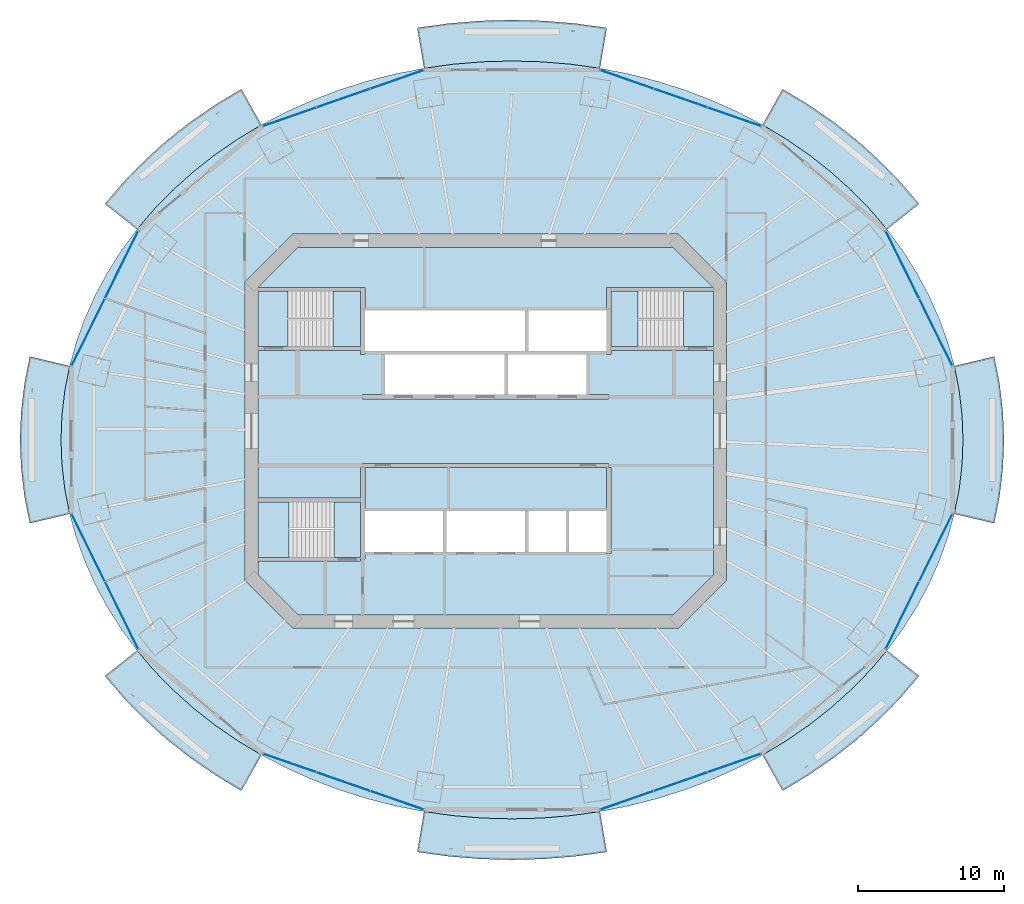
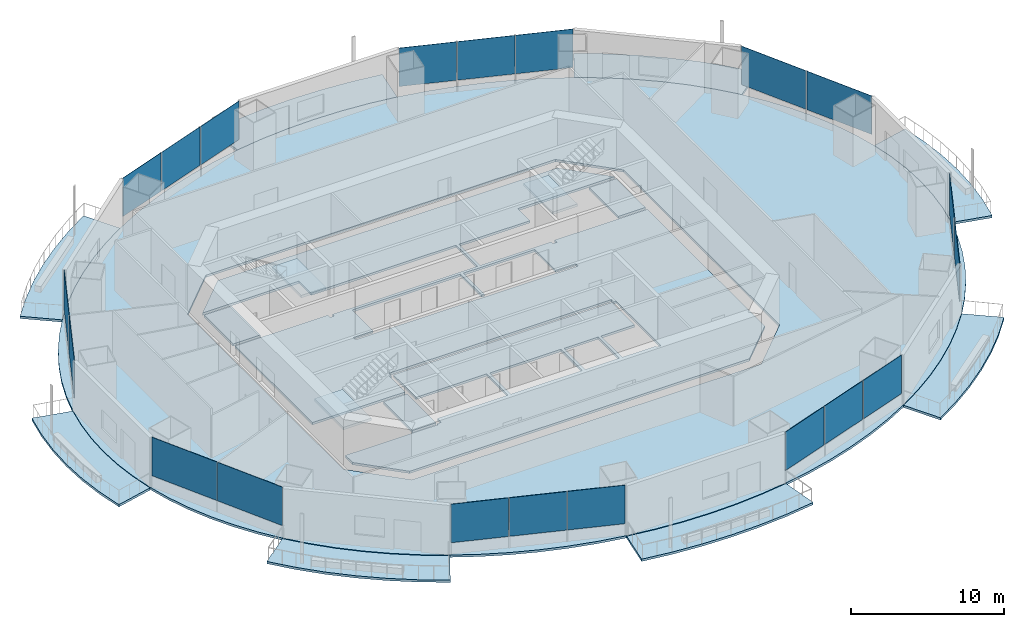
# One storey, part 9 of 19: 20 plates, 16 slabs, 11 elements without a shape of their own.
"""IFC4 building model written with IfcOpenShell, lengths in metres."""

import ifcopenshell
import ifcopenshell.guid

model = None  # the IFC model being written
_history = None  # IfcOwnerHistory: only IFC2X3 demands one
_inside = {}  # id of a spatial element -> (the spatial element, [elements in it])
_under = {}  # id of a project, library or spatial element -> (it, [spatial elements below it])
_declared = {}  # id of a project -> (the project, [libraries it declares])
_typed = {}  # id of a type object -> (the type object, [elements of that type])
_made_of = {}  # id of a material, layer set ... -> (it, [elements and type objects made of it])


def new_model(schema):
    """Start an empty IFC model of exactly this schema.

    Asked for "IFC4X3", IfcOpenShell would pick the latest addendum, in which some entities
    have other attributes; the version numbers below select the first issue.
    IFC2X3 requires an IfcOwnerHistory on every rooted entity: one is made here for all.
    """
    global model, _history
    if schema == "IFC4X3":
        model = ifcopenshell.file(schema_version=(4, 3, 0, 0))
    else:
        model = ifcopenshell.file(schema=schema)
    _inside.clear()
    _under.clear()
    _declared.clear()
    _typed.clear()
    _made_of.clear()
    _history = None
    if model.schema == "IFC2X3":
        org = make("IfcOrganization", Name="unknown")
        user = make(
            "IfcPersonAndOrganization",
            ThePerson=make("IfcPerson", FamilyName="unknown"),
            TheOrganization=org,
        )
        app = make(
            "IfcApplication",
            ApplicationDeveloper=org,
            Version="unknown",
            ApplicationFullName="unknown",
            ApplicationIdentifier="unknown",
        )
        _history = make(
            "IfcOwnerHistory",
            OwningUser=user,
            OwningApplication=app,
            ChangeAction="ADDED",
            CreationDate=0,
        )
    return model


def make(cls, **values):
    """One entity of the class cls with the attributes given. An attribute that is None is left unset."""
    return model.create_entity(
        cls, **{name: value for name, value in values.items() if value is not None}
    )


def rooted(cls, **values):
    """An entity with a GlobalId (a new one), such as an element, a storey or a relation."""
    return make(cls, GlobalId=ifcopenshell.guid.new(), OwnerHistory=_history, **values)


def si_unit(unit_type, name, prefix=None):
    """IfcSIUnit, for example si_unit("LENGTHUNIT", "METRE", prefix="MILLI")."""
    return make("IfcSIUnit", UnitType=unit_type, Prefix=prefix, Name=name)


def assignment(units):
    """IfcUnitAssignment: the units of a project."""
    return None if units is None else make("IfcUnitAssignment", Units=units)


def point(xyz):
    """IfcCartesianPoint."""
    return None if xyz is None else make("IfcCartesianPoint", Coordinates=xyz)


def direction(xyz):
    """IfcDirection."""
    return None if xyz is None else make("IfcDirection", DirectionRatios=xyz)


def frame(location, z_axis=None, x_axis=None):
    """IfcAxis2Placement3D, a coordinate frame: its origin and axes. An axis left out is left unset."""
    return make(
        "IfcAxis2Placement3D",
        Location=point(location),
        Axis=direction(z_axis),
        RefDirection=direction(x_axis),
    )


def frame_2d(location, x_axis=None):
    """IfcAxis2Placement2D, a coordinate frame in the plane: its origin and x axis."""
    return make(
        "IfcAxis2Placement2D", Location=point(location), RefDirection=direction(x_axis)
    )


def origin():
    """The frame at (0, 0, 0) with its axes left unset."""
    return frame((0.0, 0.0, 0.0))


def origin_2d():
    """The frame at (0, 0) in the plane with its x axis left unset."""
    return frame_2d((0.0, 0.0))


def place(relative_to, where):
    """IfcLocalPlacement: puts the frame where relative to a parent placement (None: the world)."""
    return make(
        "IfcLocalPlacement", PlacementRelTo=relative_to, RelativePlacement=where
    )


def context(
    kind, dimensions, precision=None, world=None, true_north=None, identifier=None
):
    """IfcGeometricRepresentationContext, for example the 3D "Model" context."""
    return make(
        "IfcGeometricRepresentationContext",
        ContextIdentifier=identifier,
        ContextType=kind,
        CoordinateSpaceDimension=dimensions,
        Precision=precision,
        WorldCoordinateSystem=world,
        TrueNorth=true_north,
    )


def subcontext(parent, identifier, kind, view, scale=None):
    """IfcGeometricRepresentationSubContext, for example "Body" below "Model"."""
    return make(
        "IfcGeometricRepresentationSubContext",
        ContextIdentifier=identifier,
        ContextType=kind,
        ParentContext=parent,
        TargetScale=scale,
        TargetView=view,
    )


def project(units=None, contexts=None):
    """IfcProject with its units and contexts."""
    return rooted(
        "IfcProject",
        Name="project",
        RepresentationContexts=contexts,
        UnitsInContext=assignment(units),
    )


def spatial(cls, under=None, at=None, **own):
    """A site, building, storey or space (cls), placed at a placement, below another one or the project."""
    s = rooted(cls, ObjectPlacement=at, **own)
    if under is not None:
        _under.setdefault(under.id(), (under, []))[1].append(s)
    return s


def polyline(points):
    """IfcPolyline through the points."""
    return make("IfcPolyline", Points=[point(p) for p in points])


def profile(cls, at=None, kind="AREA", **sizes):
    """A parametric profile (cls). Its sizes go by their IFC names, for example OverallWidth=200.0."""
    return make(cls, ProfileType=kind, Position=at, **sizes)


def rectangle(**sizes):
    """IfcRectangleProfileDef."""
    return profile("IfcRectangleProfileDef", **sizes)


def outline(outer, holes=None, kind="AREA"):
    """IfcArbitraryClosedProfileDef: a profile drawn as a closed curve; with holes, ...WithVoids."""
    if holes is None:
        return make("IfcArbitraryClosedProfileDef", ProfileType=kind, OuterCurve=outer)
    return make(
        "IfcArbitraryProfileDefWithVoids",
        ProfileType=kind,
        OuterCurve=outer,
        InnerCurves=holes,
    )


def extrude(swept, where, along, depth):
    """IfcExtrudedAreaSolid: the profile swept, set in the frame where, extruded along a direction by depth."""
    return make(
        "IfcExtrudedAreaSolid",
        SweptArea=swept,
        Position=where,
        ExtrudedDirection=direction(along),
        Depth=depth,
    )


def shape(context_of_items, identifier, shape_type, items):
    """IfcShapeRepresentation: the items that make up one representation, for example the "Body"."""
    return make(
        "IfcShapeRepresentation",
        ContextOfItems=context_of_items,
        RepresentationIdentifier=identifier,
        RepresentationType=shape_type,
        Items=items,
    )


def material(Name=None, Category=None):
    """IfcMaterial."""
    return make("IfcMaterial", Name=Name, Category=Category)


def layer(
    of_material, thickness, ventilated=None, Name=None, Category=None, Priority=None
):
    """IfcMaterialLayer: one layer of a wall or slab, of a material (None: an air gap)."""
    return make(
        "IfcMaterialLayer",
        Material=of_material,
        LayerThickness=thickness,
        IsVentilated=ventilated,
        Name=Name,
        Category=Category,
        Priority=Priority,
    )


def layer_set(layers, Name=None):
    """IfcMaterialLayerSet."""
    return make("IfcMaterialLayerSet", MaterialLayers=layers, LayerSetName=Name)


def made_of(thing, what):
    """Note that an element or type object is made of a material, layer set ...; save() writes the relation."""
    if what is not None:
        _made_of.setdefault(what.id(), (what, []))[1].append(thing)
    return thing


def type_object(cls, material=None, **own):
    """A type object (cls), such as IfcWallType, which elements share."""
    return made_of(rooted(cls, **own), material)


def element(
    cls,
    number,
    at=None,
    inside=None,
    cuts=None,
    type_object=None,
    material=None,
    context=None,
    identifier="Body",
    shape_type=None,
    held_by="IfcProductDefinitionShape",
    body=None,
    shapes=None,
    **own,
):
    """One element of the class cls, such as IfcWall. Its Tag is "e" and its number.

    at: its placement. inside: the storey or other place that contains it. cuts: it is an
    opening in that element (IfcRelVoidsElement). A single representation is given by context,
    identifier, shape_type and body (its items); several are given by shapes. held_by: the class
    of the entity that holds the representations. save() writes the other relations.
    """
    e = rooted(cls, Tag="e%d" % number, ObjectPlacement=at, **own)
    if body is not None:
        shapes = [shape(context, identifier, shape_type, body)]
    if shapes is not None:
        e.Representation = make(held_by, Representations=shapes)
    if inside is not None:
        _inside.setdefault(inside.id(), (inside, []))[1].append(e)
    if cuts is not None:
        rooted(
            "IfcRelVoidsElement", RelatingBuildingElement=cuts, RelatedOpeningElement=e
        )
    if type_object is not None:
        _typed.setdefault(type_object.id(), (type_object, []))[1].append(e)
    return made_of(e, material)


def aggregate(whole, parts):
    """IfcRelAggregates: a whole, such as a stair, and the parts it consists of."""
    return rooted("IfcRelAggregates", RelatingObject=whole, RelatedObjects=parts)


def save(model, path):
    """Write the relations noted so far, then the file.

    IfcRelAggregates (storeys below a building ...), IfcRelContainedInSpatialStructure (elements
    in a storey), IfcRelDefinesByType, IfcRelAssociatesMaterial and IfcRelDeclares: one each for
    every whole, place, type object, material and project.
    """
    for whole, parts in _under.values():
        aggregate(whole, parts)
    for where, things in _inside.values():
        rooted(
            "IfcRelContainedInSpatialStructure",
            RelatedElements=things,
            RelatingStructure=where,
        )
    for kind, things in _typed.values():
        rooted("IfcRelDefinesByType", RelatedObjects=things, RelatingType=kind)
    for what, things in _made_of.values():
        rooted("IfcRelAssociatesMaterial", RelatedObjects=things, RelatingMaterial=what)
    for by, libraries in _declared.values():
        rooted("IfcRelDeclares", RelatingContext=by, RelatedDefinitions=libraries)
    model.write(path)


model = new_model("IFC4")

# Units and contexts
model_context = context("Model", 3, precision=1e-05, world=origin(), true_north=direction((0.0, 1.0)))
body_context = subcontext(model_context, "Body", "Model", "MODEL_VIEW")
ifc_project = project(units=[si_unit("LENGTHUNIT", "METRE"), si_unit("AREAUNIT", "SQUARE_METRE"), si_unit("VOLUMEUNIT", "CUBIC_METRE"), si_unit("PLANEANGLEUNIT", "RADIAN"), si_unit("MASSUNIT", "GRAM", prefix="KILO")], contexts=[model_context])

# Site, building, storey
site_placement = place(None, origin())
site = spatial("IfcSite", under=ifc_project, at=site_placement, CompositionType="ELEMENT")
building_placement = place(site_placement, origin())
building = spatial("IfcBuilding", under=site, at=building_placement, Name="Marenthal Gate Tower", CompositionType="ELEMENT")
storey_placement = place(building_placement, frame((0.0, 0.0, 231.60009765625)))
storey = spatial("IfcBuildingStorey", under=building, at=storey_placement, Name="L51", CompositionType="ELEMENT", Elevation=231.60009765625)

# Slabs
ifc_material_1 = material(Name="Concrete 40 MPa", Category="concrete")
ifc_layer_1 = layer(ifc_material_1, 0.179931640625)
ifc_layer_set_1 = layer_set([ifc_layer_1], Name="Balcony deck 180")
slab_type_1 = type_object("IfcSlabType", Name="Balcony deck 180", PredefinedType="USERDEFINED", material=ifc_layer_set_1)
slab_1_placement = place(storey_placement, frame((0.0, 0.0, -0.22021484375)))
element("IfcSlab", 1, at=slab_1_placement, inside=storey, type_object=slab_type_1, Name="Balcony deck L51 bay 2", ObjectType="BALCONY", PredefinedType="USERDEFINED", context=body_context, shape_type="SweptSolid", body=[
    extrude(outline(polyline([(27.416015625, 13.781005859375), (26.24169921875, 15.15771484375), (24.962646484375, 16.46728515625), (23.58447265625, 17.70361328125), (22.113037109375, 18.861328125), (20.5546875, 19.93603515625), (18.916015625, 20.922607421875), (20.28662109375, 23.3642578125), (22.072021484375, 22.289306640625), (23.774169921875, 21.115478515625), (25.3857421875, 19.84716796875), (26.899658203125, 18.489013671875), (28.30908203125, 17.0458984375), (29.607421875, 15.523681640625), (27.416015625, 13.781005859375)])), origin(), (0.0, 0.0, 1.0), 0.18017578125),
])
slab_2_placement = place(storey_placement, frame((0.0, 0.0, -0.22021484375)))
element("IfcSlab", 2, at=slab_2_placement, inside=storey, type_object=slab_type_1, Name="Balcony deck L51 bay 4", ObjectType="BALCONY", PredefinedType="USERDEFINED", context=body_context, shape_type="SweptSolid", body=[
    extrude(outline(polyline([(7.810302734375, 24.78759765625), (5.8212890625, 25.063720703125), (3.81494140625, 25.2294921875), (1.800048828125, 25.284912109375), (-0.21484375, 25.2294921875), (-2.22119140625, 25.063720703125), (-4.210205078125, 24.78759765625), (-4.671875, 27.54931640625), (-2.529052734375, 27.8466796875), (-0.368896484375, 28.025390625), (1.800048828125, 28.0849609375), (3.96875, 28.025390625), (6.129150390625, 27.8466796875), (8.27197265625, 27.54931640625), (7.810302734375, 24.78759765625)])), origin(), (0.0, 0.0, 1.0), 0.18017578125),
])
slab_3_placement = place(storey_placement, frame((0.0, 0.0, -0.22021484375)))
element("IfcSlab", 3, at=slab_3_placement, inside=storey, type_object=slab_type_1, Name="Balcony deck L51 bay 6", ObjectType="BALCONY", PredefinedType="USERDEFINED", context=body_context, shape_type="SweptSolid", body=[
    extrude(outline(polyline([(-15.31591796875, 20.922607421875), (-16.95458984375, 19.93603515625), (-18.51318359375, 18.861328125), (-19.984619140625, 17.70361328125), (-21.36279296875, 16.46728515625), (-22.6416015625, 15.15771484375), (-23.81591796875, 13.781005859375), (-26.00732421875, 15.523681640625), (-24.709228515625, 17.0458984375), (-23.2998046875, 18.489013671875), (-21.78564453125, 19.84716796875), (-20.174072265625, 21.115478515625), (-18.471923828125, 22.289306640625), (-16.686767578125, 23.3642578125), (-15.31591796875, 20.922607421875)])), origin(), (0.0, 0.0, 1.0), 0.18017578125),
])
slab_4_placement = place(storey_placement, frame((0.0, 0.0, -0.22021484375)))
element("IfcSlab", 4, at=slab_4_placement, inside=storey, type_object=slab_type_1, Name="Balcony deck L51 bay 8", ObjectType="BALCONY", PredefinedType="USERDEFINED", context=body_context, shape_type="SweptSolid", body=[
    extrude(outline(polyline([(-28.416015625, 4.449951171875), (-28.744384765625, 2.77880859375), (-28.94189453125, 1.093017578125), (-29.008056640625, -0.60009765625), (-28.94189453125, -2.29296875), (-28.744384765625, -3.978759765625), (-28.416015625, -5.64990234375), (-31.140625, -6.294921875), (-31.5107421875, -4.412109375), (-31.7333984375, -2.5107421875), (-31.80810546875, -0.60009765625), (-31.7333984375, 1.310791015625), (-31.5107421875, 3.212158203125), (-31.140625, 5.094970703125), (-28.416015625, 4.449951171875)])), origin(), (0.0, 0.0, 1.0), 0.18017578125),
])
slab_5_placement = place(storey_placement, frame((0.0, 0.0, -0.22021484375)))
element("IfcSlab", 5, at=slab_5_placement, inside=storey, type_object=slab_type_1, Name="Balcony deck L51 bay 10", ObjectType="BALCONY", PredefinedType="USERDEFINED", context=body_context, shape_type="SweptSolid", body=[
    extrude(outline(polyline([(-23.81591796875, -14.98095703125), (-22.6416015625, -16.35791015625), (-21.36279296875, -17.667236328125), (-19.984619140625, -18.903564453125), (-18.51318359375, -20.061279296875), (-16.95458984375, -21.135986328125), (-15.31591796875, -22.12255859375), (-16.686767578125, -24.564208984375), (-18.471923828125, -23.4892578125), (-20.174072265625, -22.315673828125), (-21.78564453125, -21.04736328125), (-23.2998046875, -19.68896484375), (-24.709228515625, -18.24609375), (-26.00732421875, -16.7236328125), (-23.81591796875, -14.98095703125)])), origin(), (0.0, 0.0, 1.0), 0.18017578125),
])
slab_6_placement = place(storey_placement, frame((0.0, 0.0, -0.22021484375)))
element("IfcSlab", 6, at=slab_6_placement, inside=storey, type_object=slab_type_1, Name="Balcony deck L51 bay 12", ObjectType="BALCONY", PredefinedType="USERDEFINED", context=body_context, shape_type="SweptSolid", body=[
    extrude(outline(polyline([(-4.210205078125, -25.987548828125), (-2.22119140625, -26.263671875), (-0.21484375, -26.4296875), (1.800048828125, -26.485107421875), (3.81494140625, -26.4296875), (5.8212890625, -26.263671875), (7.810302734375, -25.987548828125), (8.27197265625, -28.749267578125), (6.129150390625, -29.046630859375), (3.96875, -29.225341796875), (1.800048828125, -29.284912109375), (-0.368896484375, -29.225341796875), (-2.529052734375, -29.046630859375), (-4.671875, -28.749267578125), (-4.210205078125, -25.987548828125)])), origin(), (0.0, 0.0, 1.0), 0.18017578125),
])
slab_7_placement = place(storey_placement, frame((0.0, 0.0, -0.22021484375)))
element("IfcSlab", 7, at=slab_7_placement, inside=storey, type_object=slab_type_1, Name="Balcony deck L51 bay 14", ObjectType="BALCONY", PredefinedType="USERDEFINED", context=body_context, shape_type="SweptSolid", body=[
    extrude(outline(polyline([(18.916015625, -22.12255859375), (20.5546875, -21.135986328125), (22.113037109375, -20.061279296875), (23.58447265625, -18.903564453125), (24.962646484375, -17.667236328125), (26.24169921875, -16.35791015625), (27.416015625, -14.98095703125), (29.607421875, -16.7236328125), (28.30908203125, -18.24609375), (26.899658203125, -19.68896484375), (25.3857421875, -21.04736328125), (23.774169921875, -22.315673828125), (22.072021484375, -23.4892578125), (20.28662109375, -24.564208984375), (18.916015625, -22.12255859375)])), origin(), (0.0, 0.0, 1.0), 0.18017578125),
])
slab_8_placement = place(storey_placement, frame((0.0, 0.0, -0.22021484375)))
element("IfcSlab", 8, at=slab_8_placement, inside=storey, type_object=slab_type_1, Name="Balcony deck L51 bay 16", ObjectType="BALCONY", PredefinedType="USERDEFINED", context=body_context, shape_type="SweptSolid", body=[
    extrude(outline(polyline([(32.01611328125, -5.64990234375), (32.344482421875, -3.978759765625), (32.5419921875, -2.29296875), (32.60791015625, -0.60009765625), (32.5419921875, 1.093017578125), (32.344482421875, 2.77880859375), (32.01611328125, 4.449951171875), (34.74072265625, 5.094970703125), (35.110595703125, 3.212158203125), (35.33349609375, 1.310791015625), (35.407958984375, -0.60009765625), (35.33349609375, -2.5107421875), (35.110595703125, -4.412109375), (34.74072265625, -6.294921875), (32.01611328125, -5.64990234375)])), origin(), (0.0, 0.0, 1.0), 0.18017578125),
])
ifc_material_2 = material(Name="Concrete 50 MPa", Category="concrete")
ifc_layer_2 = layer(ifc_material_2, 0.179931640625)
ifc_layer_set_2 = layer_set([ifc_layer_2], Name="Core floor slab 180")
slab_type_2 = type_object("IfcSlabType", Name="Core floor slab 180", PredefinedType="FLOOR", material=ifc_layer_set_2)
slab_9_placement = place(storey_placement, frame((0.0, 0.0, -0.18017578125)))
element("IfcSlab", 9, at=slab_9_placement, inside=storey, type_object=slab_type_2, Name="Core floor L51", PredefinedType="FLOOR", context=body_context, shape_type="SweptSolid", body=[
    extrude(outline(polyline([(12.813720703125, -12.550048828125), (-12.813720703125, -12.550048828125), (-15.550048828125, -9.813720703125), (-15.550048828125, -8.875), (-8.550048828125, -8.875), (-8.550048828125, -8.75), (-8.25, -8.75), (-8.25, -8.239990234375), (-5.60009765625, -8.239990234375), (-2.909912109375, -8.239990234375), (-2.909912109375, -5.4599609375), (-5.60009765625, -5.4599609375), (-8.25, -5.4599609375), (-8.25, -2.5), (8.25, -2.5), (8.25, -5.4599609375), (5.7099609375, -5.4599609375), (5.7099609375, -8.239990234375), (8.25, -8.239990234375), (8.25, -8.35009765625), (8.550048828125, -8.35009765625), (8.550048828125, -2.5), (8.39990234375, -2.5), (8.39990234375, -2.199951171875), (-8.39990234375, -2.199951171875), (-8.39990234375, -2.5), (-8.550048828125, -2.5), (-8.550048828125, -4.574951171875), (-15.550048828125, -4.574951171875), (-15.550048828125, 5.52490234375), (-8.550048828125, 5.52490234375), (-8.550048828125, 5.239990234375), (-8.25, 5.239990234375), (-8.25, 5.4599609375), (-5.60009765625, 5.4599609375), (-2.800048828125, 5.4599609375), (0.0, 5.4599609375), (2.68994140625, 5.4599609375), (2.68994140625, 8.239990234375), (0.0, 8.239990234375), (-2.800048828125, 8.239990234375), (-5.60009765625, 8.239990234375), (-8.25, 8.239990234375), (-8.25, 8.35009765625), (-8.25, 9.824951171875), (-8.550048828125, 9.824951171875), (-15.53857421875, 9.824951171875), (-12.813720703125, 12.550048828125), (12.813720703125, 12.550048828125), (15.53857421875, 9.824951171875), (8.550048828125, 9.824951171875), (8.25, 9.824951171875), (8.25, 8.35009765625), (8.25, 8.239990234375), (5.60009765625, 8.239990234375), (2.909912109375, 8.239990234375), (2.909912109375, 5.4599609375), (5.60009765625, 5.4599609375), (8.25, 5.4599609375), (8.25, 5.239990234375), (8.550048828125, 5.239990234375), (8.550048828125, 5.52490234375), (15.550048828125, 5.52490234375), (15.550048828125, -9.813720703125), (12.813720703125, -12.550048828125)]), holes=[polyline([(2.68994140625, -8.239990234375), (2.68994140625, -5.4599609375), (0.0, -5.4599609375), (-2.68994140625, -5.4599609375), (-2.68994140625, -8.239990234375), (0.0, -8.239990234375), (2.68994140625, -8.239990234375)]), polyline([(-6.889892578125, 5.239990234375), (-6.889892578125, 2.5), (-8.39990234375, 2.5), (-8.39990234375, 2.199951171875), (8.39990234375, 2.199951171875), (8.39990234375, 2.5), (6.889892578125, 2.5), (6.889892578125, 5.239990234375), (4.199951171875, 5.239990234375), (1.510009765625, 5.239990234375), (1.510009765625, 2.5), (1.2900390625, 2.5), (1.2900390625, 5.239990234375), (-1.39990234375, 5.239990234375), (-4.199951171875, 5.239990234375), (-6.889892578125, 5.239990234375)]), polyline([(5.489990234375, -8.239990234375), (5.489990234375, -5.4599609375), (2.909912109375, -5.4599609375), (2.909912109375, -8.239990234375), (5.489990234375, -8.239990234375)])]), origin(), (0.0, 0.0, 1.0), 0.18017578125),
])
slab_10_placement = place(storey_placement, frame((0.0, 0.0, -0.18017578125)))
element("IfcSlab", 10, at=slab_10_placement, inside=storey, type_object=slab_type_2, Name="Core floor L51", PredefinedType="FLOOR", context=body_context, shape_type="SweptSolid", body=[
    extrude(outline(polyline([(15.550048828125, 5.77490234375), (13.5, 5.77490234375), (13.5, 9.574951171875), (15.550048828125, 9.574951171875), (15.550048828125, 5.77490234375)])), origin(), (0.0, 0.0, 1.0), 0.18017578125),
])
slab_11_placement = place(storey_placement, frame((0.0, 0.0, -0.18017578125)))
element("IfcSlab", 11, at=slab_11_placement, inside=storey, type_object=slab_type_2, Name="Core floor L51", PredefinedType="FLOOR", context=body_context, shape_type="SweptSolid", body=[
    extrude(outline(polyline([(-15.550048828125, 9.574951171875), (-13.5, 9.574951171875), (-13.5, 5.77490234375), (-15.550048828125, 5.77490234375), (-15.550048828125, 9.574951171875)])), origin(), (0.0, 0.0, 1.0), 0.18017578125),
])
slab_12_placement = place(storey_placement, frame((0.0, 0.0, -0.18017578125)))
element("IfcSlab", 12, at=slab_12_placement, inside=storey, type_object=slab_type_2, Name="Core floor L51", PredefinedType="FLOOR", context=body_context, shape_type="SweptSolid", body=[
    extrude(outline(polyline([(-8.550048828125, -8.625), (-10.35009765625, -8.625), (-10.35009765625, -4.824951171875), (-8.550048828125, -4.824951171875), (-8.550048828125, -8.625)])), origin(), (0.0, 0.0, 1.0), 0.18017578125),
])
ifc_material_3 = material(Name="Concrete 35 MPa", Category="concrete")
ifc_layer_3 = layer(ifc_material_3, 0.179931640625)
ifc_layer_set_3 = layer_set([ifc_layer_3], Name="Floor slab 180")
slab_type_3 = type_object("IfcSlabType", Name="Floor slab 180", PredefinedType="FLOOR", material=ifc_layer_set_3)
slab_13_placement = place(storey_placement, frame((0.0, 0.0, -0.18017578125)))
element("IfcSlab", 13, at=slab_13_placement, inside=storey, type_object=slab_type_3, Name="SL-L51-01", PredefinedType="FLOOR", context=body_context, shape_type="SweptSolid", body=[
    extrude(outline(polyline([(32.60791015625, -0.60009765625), (32.5419921875, 1.093017578125), (32.344482421875, 2.77880859375), (32.01611328125, 4.449951171875), (31.55810546875, 6.099609375), (30.972900390625, 7.720458984375), (30.262939453125, 9.305908203125), (29.430908203125, 10.8486328125), (28.48046875, 12.342529296875), (27.416015625, 13.781005859375), (26.24169921875, 15.15771484375), (24.962646484375, 16.46728515625), (23.58447265625, 17.70361328125), (22.113037109375, 18.861328125), (20.5546875, 19.93603515625), (18.916015625, 20.922607421875), (17.2041015625, 21.817138671875), (15.426025390625, 22.615478515625), (13.589599609375, 23.314697265625), (11.702880859375, 23.911376953125), (9.773681640625, 24.403076171875), (7.810302734375, 24.78759765625), (5.8212890625, 25.063720703125), (3.81494140625, 25.2294921875), (1.800048828125, 25.284912109375), (-0.21484375, 25.2294921875), (-2.22119140625, 25.063720703125), (-4.210205078125, 24.78759765625), (-6.173583984375, 24.403076171875), (-8.102783203125, 23.911376953125), (-9.98974609375, 23.314697265625), (-11.825927734375, 22.615478515625), (-13.60400390625, 21.817138671875), (-15.31591796875, 20.922607421875), (-16.95458984375, 19.93603515625), (-18.51318359375, 18.861328125), (-19.984619140625, 17.70361328125), (-21.36279296875, 16.46728515625), (-22.6416015625, 15.15771484375), (-23.81591796875, 13.781005859375), (-24.880615234375, 12.342529296875), (-25.830810546875, 10.8486328125), (-26.662841796875, 9.305908203125), (-27.373046875, 7.720458984375), (-27.958251953125, 6.099609375), (-28.416015625, 4.449951171875), (-28.744384765625, 2.77880859375), (-28.94189453125, 1.093017578125), (-29.008056640625, -0.60009765625), (-28.94189453125, -2.29296875), (-28.744384765625, -3.978759765625), (-28.416015625, -5.64990234375), (-27.958251953125, -7.299560546875), (-27.373046875, -8.92041015625), (-26.662841796875, -10.505859375), (-25.830810546875, -12.048583984375), (-24.880615234375, -13.54248046875), (-23.81591796875, -14.98095703125), (-22.6416015625, -16.35791015625), (-21.36279296875, -17.667236328125), (-19.984619140625, -18.903564453125), (-18.51318359375, -20.061279296875), (-16.95458984375, -21.135986328125), (-15.31591796875, -22.12255859375), (-13.60400390625, -23.01708984375), (-11.825927734375, -23.815673828125), (-9.98974609375, -24.5146484375), (-8.102783203125, -25.111328125), (-6.173583984375, -25.60302734375), (-4.210205078125, -25.987548828125), (-2.22119140625, -26.263671875), (-0.21484375, -26.4296875), (1.800048828125, -26.485107421875), (3.81494140625, -26.4296875), (5.8212890625, -26.263671875), (7.810302734375, -25.987548828125), (9.773681640625, -25.60302734375), (11.702880859375, -25.111328125), (13.589599609375, -24.5146484375), (15.426025390625, -23.815673828125), (17.2041015625, -23.01708984375), (18.916015625, -22.12255859375), (20.5546875, -21.135986328125), (22.113037109375, -20.061279296875), (23.58447265625, -18.903564453125), (24.962646484375, -17.667236328125), (26.24169921875, -16.35791015625), (27.416015625, -14.98095703125), (28.48046875, -13.54248046875), (29.430908203125, -12.048583984375), (30.262939453125, -10.505859375), (30.972900390625, -8.92041015625), (31.55810546875, -7.299560546875), (32.01611328125, -5.64990234375), (32.344482421875, -3.978759765625), (32.5419921875, -2.29296875), (32.60791015625, -0.60009765625)]), holes=[polyline([(13.186279296875, -13.449951171875), (16.449951171875, -10.186279296875), (16.449951171875, 10.186279296875), (13.186279296875, 13.449951171875), (-13.186279296875, 13.449951171875), (-16.449951171875, 10.186279296875), (-16.449951171875, -10.186279296875), (-13.186279296875, -13.449951171875), (13.186279296875, -13.449951171875)])]), origin(), (0.0, 0.0, 1.0), 0.18017578125),
])

# Curtain wall, plates
ifc_material_4 = material(Name="Aluminium and glass", Category="aluminium")
curtain_wall_type = type_object("IfcCurtainWallType", Name="Curtain wall typical mid", PredefinedType="NOTDEFINED", material=ifc_material_4)
curtain_wall_1_placement = place(storey_placement, origin())
curtain_wall_1 = element("IfcCurtainWall", 14, at=curtain_wall_1_placement, inside=storey, type_object=curtain_wall_type, Name="Curtain wall L51 bay 1", PredefinedType="NOTDEFINED")
ifc_material_5 = material(Name="Glass, laminated insulating unit", Category="glass")
ifc_layer_4 = layer(ifc_material_5, 0.030029296875)
ifc_layer_set_4 = layer_set([ifc_layer_4], Name="Glass panel 30 typical mid")
plate_type = type_object("IfcPlateType", Name="Glass panel 30 typical mid", PredefinedType="CURTAIN_PANEL", material=ifc_layer_set_4)
plate_1_placement = place(storey_placement, frame((30.74609375, 6.761962890625, 0.89990234375), z_axis=(0.0, 0.0, 1.0), x_axis=(-0.442441217329, 0.896797507361, 0.0)))
plate_1 = element("IfcPlate", 15, at=plate_1_placement, type_object=plate_type, Name="Glass panel L51 bay 1.1", PredefinedType="CURTAIN_PANEL", context=body_context, shape_type="SweptSolid", body=[
    extrude(rectangle(XDim=5.08837890625, YDim=0.030029296875, at=origin_2d()), origin(), (0.0, 0.0, 1.0), 3.070068359375),
])
plate_2_placement = place(storey_placement, frame((28.46826171875, 11.37890625, 0.89990234375), z_axis=(0.0, 0.0, 1.0), x_axis=(-0.442441217329, 0.896797507361, 0.0)))
plate_2 = element("IfcPlate", 16, at=plate_2_placement, type_object=plate_type, Name="Glass panel L51 bay 1.2", PredefinedType="CURTAIN_PANEL", context=body_context, shape_type="SweptSolid", body=[
    extrude(rectangle(XDim=5.08837890625, YDim=0.030029296875, at=origin_2d()), origin(), (0.0, 0.0, 1.0), 3.070068359375),
])
aggregate(curtain_wall_1, [plate_1, plate_2])

curtain_wall_2_placement = place(storey_placement, origin())
curtain_wall_2 = element("IfcCurtainWall", 17, at=curtain_wall_2_placement, inside=storey, type_object=curtain_wall_type, Name="Curtain wall L51 bay 3", PredefinedType="NOTDEFINED")
plate_3_placement = place(storey_placement, frame((16.986572265625, 21.470458984375, 0.89990234375), z_axis=(0.0, 0.0, 1.0), x_axis=(-0.94451510961, 0.328467970612, 0.0)))
plate_3 = element("IfcPlate", 18, at=plate_3_placement, type_object=plate_type, Name="Glass panel L51 bay 3.1", PredefinedType="CURTAIN_PANEL", context=body_context, shape_type="SweptSolid", body=[
    extrude(rectangle(XDim=3.82421875, YDim=0.030029296875, at=origin_2d()), origin(), (0.0, 0.0, 1.0), 3.070068359375),
])
plate_4_placement = place(storey_placement, frame((13.318115234375, 22.746337890625, 0.89990234375), z_axis=(0.0, 0.0, 1.0), x_axis=(-0.94451510961, 0.328467970612, 0.0)))
plate_4 = element("IfcPlate", 19, at=plate_4_placement, type_object=plate_type, Name="Glass panel L51 bay 3.2", PredefinedType="CURTAIN_PANEL", context=body_context, shape_type="SweptSolid", body=[
    extrude(rectangle(XDim=3.82421875, YDim=0.030029296875, at=origin_2d()), origin(), (0.0, 0.0, 1.0), 3.070068359375),
])
plate_5_placement = place(storey_placement, frame((9.6494140625, 24.022216796875, 0.89990234375), z_axis=(0.0, 0.0, 1.0), x_axis=(-0.94451510961, 0.328467970612, 0.0)))
plate_5 = element("IfcPlate", 20, at=plate_5_placement, type_object=plate_type, Name="Glass panel L51 bay 3.3", PredefinedType="CURTAIN_PANEL", context=body_context, shape_type="SweptSolid", body=[
    extrude(rectangle(XDim=3.82421875, YDim=0.030029296875, at=origin_2d()), origin(), (0.0, 0.0, 1.0), 3.070068359375),
])
aggregate(curtain_wall_2, [plate_3, plate_4, plate_5])

curtain_wall_3_placement = place(storey_placement, origin())
curtain_wall_3 = element("IfcCurtainWall", 21, at=curtain_wall_3_placement, inside=storey, type_object=curtain_wall_type, Name="Curtain wall L51 bay 5", PredefinedType="NOTDEFINED")
plate_6_placement = place(storey_placement, frame((-6.049560546875, 24.022216796875, 0.89990234375), z_axis=(0.0, 0.0, 1.0), x_axis=(-0.94451510961, -0.328467970612, 0.0)))
plate_6 = element("IfcPlate", 22, at=plate_6_placement, type_object=plate_type, Name="Glass panel L51 bay 5.1", PredefinedType="CURTAIN_PANEL", context=body_context, shape_type="SweptSolid", body=[
    extrude(rectangle(XDim=3.82421875, YDim=0.030029296875, at=origin_2d()), origin(), (0.0, 0.0, 1.0), 3.070068359375),
])
plate_7_placement = place(storey_placement, frame((-9.718017578125, 22.746337890625, 0.89990234375), z_axis=(0.0, 0.0, 1.0), x_axis=(-0.94451510961, -0.328467970612, 0.0)))
plate_7 = element("IfcPlate", 23, at=plate_7_placement, type_object=plate_type, Name="Glass panel L51 bay 5.2", PredefinedType="CURTAIN_PANEL", context=body_context, shape_type="SweptSolid", body=[
    extrude(rectangle(XDim=3.82421875, YDim=0.030029296875, at=origin_2d()), origin(), (0.0, 0.0, 1.0), 3.070068359375),
])
plate_8_placement = place(storey_placement, frame((-13.38671875, 21.470458984375, 0.89990234375), z_axis=(0.0, 0.0, 1.0), x_axis=(-0.94451510961, -0.328467970612, 0.0)))
plate_8 = element("IfcPlate", 24, at=plate_8_placement, type_object=plate_type, Name="Glass panel L51 bay 5.3", PredefinedType="CURTAIN_PANEL", context=body_context, shape_type="SweptSolid", body=[
    extrude(rectangle(XDim=3.82421875, YDim=0.030029296875, at=origin_2d()), origin(), (0.0, 0.0, 1.0), 3.070068359375),
])
aggregate(curtain_wall_3, [plate_6, plate_7, plate_8])

curtain_wall_4_placement = place(storey_placement, origin())
curtain_wall_4 = element("IfcCurtainWall", 25, at=curtain_wall_4_placement, inside=storey, type_object=curtain_wall_type, Name="Curtain wall L51 bay 7", PredefinedType="NOTDEFINED")
plate_9_placement = place(storey_placement, frame((-24.8681640625, 11.37890625, 0.89990234375), z_axis=(0.0, 0.0, 1.0), x_axis=(-0.442441217329, -0.896797507361, 0.0)))
plate_9 = element("IfcPlate", 26, at=plate_9_placement, type_object=plate_type, Name="Glass panel L51 bay 7.1", PredefinedType="CURTAIN_PANEL", context=body_context, shape_type="SweptSolid", body=[
    extrude(rectangle(XDim=5.08837890625, YDim=0.030029296875, at=origin_2d()), origin(), (0.0, 0.0, 1.0), 3.070068359375),
])
plate_10_placement = place(storey_placement, frame((-27.14599609375, 6.761962890625, 0.89990234375), z_axis=(0.0, 0.0, 1.0), x_axis=(-0.442441217329, -0.896797507361, 0.0)))
plate_10 = element("IfcPlate", 27, at=plate_10_placement, type_object=plate_type, Name="Glass panel L51 bay 7.2", PredefinedType="CURTAIN_PANEL", context=body_context, shape_type="SweptSolid", body=[
    extrude(rectangle(XDim=5.08837890625, YDim=0.030029296875, at=origin_2d()), origin(), (0.0, 0.0, 1.0), 3.070068359375),
])
aggregate(curtain_wall_4, [plate_9, plate_10])

curtain_wall_5_placement = place(storey_placement, origin())
curtain_wall_5 = element("IfcCurtainWall", 28, at=curtain_wall_5_placement, inside=storey, type_object=curtain_wall_type, Name="Curtain wall L51 bay 9", PredefinedType="NOTDEFINED")
plate_11_placement = place(storey_placement, frame((-27.14599609375, -7.9619140625, 0.89990234375), z_axis=(0.0, 0.0, 1.0), x_axis=(0.442441217329, -0.896797507361, 0.0)))
plate_11 = element("IfcPlate", 29, at=plate_11_placement, type_object=plate_type, Name="Glass panel L51 bay 9.1", PredefinedType="CURTAIN_PANEL", context=body_context, shape_type="SweptSolid", body=[
    extrude(rectangle(XDim=5.08837890625, YDim=0.030029296875, at=origin_2d()), origin(), (0.0, 0.0, 1.0), 3.070068359375),
])
plate_12_placement = place(storey_placement, frame((-24.868408203125, -12.578857421875, 0.89990234375), z_axis=(0.0, 0.0, 1.0), x_axis=(0.442441217329, -0.896797507361, 0.0)))
plate_12 = element("IfcPlate", 30, at=plate_12_placement, type_object=plate_type, Name="Glass panel L51 bay 9.2", PredefinedType="CURTAIN_PANEL", context=body_context, shape_type="SweptSolid", body=[
    extrude(rectangle(XDim=5.08837890625, YDim=0.030029296875, at=origin_2d()), origin(), (0.0, 0.0, 1.0), 3.070068359375),
])
aggregate(curtain_wall_5, [plate_11, plate_12])

curtain_wall_6_placement = place(storey_placement, origin())
curtain_wall_6 = element("IfcCurtainWall", 31, at=curtain_wall_6_placement, inside=storey, type_object=curtain_wall_type, Name="Curtain wall L51 bay 11", PredefinedType="NOTDEFINED")
plate_13_placement = place(storey_placement, frame((-13.38671875, -22.670654296875, 0.89990234375), z_axis=(0.0, 0.0, 1.0), x_axis=(0.94451510961, -0.328467970612, 0.0)))
plate_13 = element("IfcPlate", 32, at=plate_13_placement, type_object=plate_type, Name="Glass panel L51 bay 11.1", PredefinedType="CURTAIN_PANEL", context=body_context, shape_type="SweptSolid", body=[
    extrude(rectangle(XDim=3.82421875, YDim=0.030029296875, at=origin_2d()), origin(), (0.0, 0.0, 1.0), 3.070068359375),
])
plate_14_placement = place(storey_placement, frame((-9.718017578125, -23.9462890625, 0.89990234375), z_axis=(0.0, 0.0, 1.0), x_axis=(0.94451510961, -0.328467970612, 0.0)))
plate_14 = element("IfcPlate", 33, at=plate_14_placement, type_object=plate_type, Name="Glass panel L51 bay 11.2", PredefinedType="CURTAIN_PANEL", context=body_context, shape_type="SweptSolid", body=[
    extrude(rectangle(XDim=3.82421875, YDim=0.030029296875, at=origin_2d()), origin(), (0.0, 0.0, 1.0), 3.070068359375),
])
plate_15_placement = place(storey_placement, frame((-6.049560546875, -25.22216796875, 0.89990234375), z_axis=(0.0, 0.0, 1.0), x_axis=(0.94451510961, -0.328467970612, 0.0)))
plate_15 = element("IfcPlate", 34, at=plate_15_placement, type_object=plate_type, Name="Glass panel L51 bay 11.3", PredefinedType="CURTAIN_PANEL", context=body_context, shape_type="SweptSolid", body=[
    extrude(rectangle(XDim=3.82421875, YDim=0.030029296875, at=origin_2d()), origin(), (0.0, 0.0, 1.0), 3.070068359375),
])
aggregate(curtain_wall_6, [plate_13, plate_14, plate_15])

curtain_wall_7_placement = place(storey_placement, origin())
curtain_wall_7 = element("IfcCurtainWall", 35, at=curtain_wall_7_placement, inside=storey, type_object=curtain_wall_type, Name="Curtain wall L51 bay 13", PredefinedType="NOTDEFINED")
plate_16_placement = place(storey_placement, frame((9.6494140625, -25.22216796875, 0.89990234375), z_axis=(0.0, 0.0, 1.0), x_axis=(0.94451510961, 0.328467970612, 0.0)))
plate_16 = element("IfcPlate", 36, at=plate_16_placement, type_object=plate_type, Name="Glass panel L51 bay 13.1", PredefinedType="CURTAIN_PANEL", context=body_context, shape_type="SweptSolid", body=[
    extrude(rectangle(XDim=3.82421875, YDim=0.030029296875, at=origin_2d()), origin(), (0.0, 0.0, 1.0), 3.070068359375),
])
plate_17_placement = place(storey_placement, frame((13.318115234375, -23.9462890625, 0.89990234375), z_axis=(0.0, 0.0, 1.0), x_axis=(0.94451510961, 0.328467970612, 0.0)))
plate_17 = element("IfcPlate", 37, at=plate_17_placement, type_object=plate_type, Name="Glass panel L51 bay 13.2", PredefinedType="CURTAIN_PANEL", context=body_context, shape_type="SweptSolid", body=[
    extrude(rectangle(XDim=3.82421875, YDim=0.030029296875, at=origin_2d()), origin(), (0.0, 0.0, 1.0), 3.070068359375),
])
plate_18_placement = place(storey_placement, frame((16.98681640625, -22.670654296875, 0.89990234375), z_axis=(0.0, 0.0, 1.0), x_axis=(0.94451510961, 0.328467970612, 0.0)))
plate_18 = element("IfcPlate", 38, at=plate_18_placement, type_object=plate_type, Name="Glass panel L51 bay 13.3", PredefinedType="CURTAIN_PANEL", context=body_context, shape_type="SweptSolid", body=[
    extrude(rectangle(XDim=3.82421875, YDim=0.030029296875, at=origin_2d()), origin(), (0.0, 0.0, 1.0), 3.070068359375),
])
aggregate(curtain_wall_7, [plate_16, plate_17, plate_18])

curtain_wall_8_placement = place(storey_placement, origin())
curtain_wall_8 = element("IfcCurtainWall", 39, at=curtain_wall_8_placement, inside=storey, type_object=curtain_wall_type, Name="Curtain wall L51 bay 15", PredefinedType="NOTDEFINED")
plate_19_placement = place(storey_placement, frame((28.46826171875, -12.578857421875, 0.89990234375), z_axis=(0.0, 0.0, 1.0), x_axis=(0.442441217329, 0.896797507361, 0.0)))
plate_19 = element("IfcPlate", 40, at=plate_19_placement, type_object=plate_type, Name="Glass panel L51 bay 15.1", PredefinedType="CURTAIN_PANEL", context=body_context, shape_type="SweptSolid", body=[
    extrude(rectangle(XDim=5.08837890625, YDim=0.030029296875, at=origin_2d()), origin(), (0.0, 0.0, 1.0), 3.070068359375),
])
plate_20_placement = place(storey_placement, frame((30.74609375, -7.9619140625, 0.89990234375), z_axis=(0.0, 0.0, 1.0), x_axis=(0.442441217329, 0.896797507361, 0.0)))
plate_20 = element("IfcPlate", 41, at=plate_20_placement, type_object=plate_type, Name="Glass panel L51 bay 15.2", PredefinedType="CURTAIN_PANEL", context=body_context, shape_type="SweptSolid", body=[
    extrude(rectangle(XDim=5.08837890625, YDim=0.030029296875, at=origin_2d()), origin(), (0.0, 0.0, 1.0), 3.070068359375),
])
aggregate(curtain_wall_8, [plate_19, plate_20])

# Stair, slab
ifc_material_6 = material(Name="Concrete 40 MPa", Category="concrete")
stair_type = type_object("IfcStairType", Name="Exit stair 1800", PredefinedType="HALF_TURN_STAIR", material=ifc_material_6)
stair_1_placement = place(storey_placement, origin())
stair_1 = element("IfcStair", 42, at=stair_1_placement, inside=storey, type_object=stair_type, Name="Stair ST1", PredefinedType="HALF_TURN_STAIR")
ifc_material_7 = material(Name="Concrete 40 MPa", Category="concrete")
ifc_layer_5 = layer(ifc_material_7, 0.199951171875)
ifc_layer_set_5 = layer_set([ifc_layer_5], Name="Stair landing 200")
slab_type_4 = type_object("IfcSlabType", Name="Stair landing 200", PredefinedType="LANDING", material=ifc_layer_set_5)
slab_14_placement = place(storey_placement, frame((0.0, 0.0, 1.875)))
slab_14 = element("IfcSlab", 43, at=slab_14_placement, type_object=slab_type_4, Name="ST1 landing 1", PredefinedType="LANDING", context=body_context, shape_type="SweptSolid", body=[
    extrude(outline(polyline([(-10.419921875, 5.77490234375), (-8.550048828125, 5.77490234375), (-8.550048828125, 9.574951171875), (-10.419921875, 9.574951171875), (-10.419921875, 5.77490234375)])), origin(), (0.0, 0.0, 1.0), 0.199951171875),
])
aggregate(stair_1, [slab_14])

stair_2_placement = place(storey_placement, origin())
stair_2 = element("IfcStair", 44, at=stair_2_placement, inside=storey, type_object=stair_type, Name="Stair ST2", PredefinedType="HALF_TURN_STAIR")
slab_15_placement = place(storey_placement, frame((0.0, 0.0, 1.875)))
slab_15 = element("IfcSlab", 45, at=slab_15_placement, type_object=slab_type_4, Name="ST2 landing 1", PredefinedType="LANDING", context=body_context, shape_type="SweptSolid", body=[
    extrude(outline(polyline([(-15.550048828125, -8.625), (-13.429931640625, -8.625), (-13.429931640625, -4.824951171875), (-15.550048828125, -4.824951171875), (-15.550048828125, -8.625)])), origin(), (0.0, 0.0, 1.0), 0.199951171875),
])
aggregate(stair_2, [slab_15])

stair_3_placement = place(storey_placement, origin())
stair_3 = element("IfcStair", 46, at=stair_3_placement, inside=storey, type_object=stair_type, Name="Stair ST3", PredefinedType="HALF_TURN_STAIR")
slab_16_placement = place(storey_placement, frame((0.0, 0.0, 1.875)))
slab_16 = element("IfcSlab", 47, at=slab_16_placement, type_object=slab_type_4, Name="ST3 landing 1", PredefinedType="LANDING", context=body_context, shape_type="SweptSolid", body=[
    extrude(outline(polyline([(8.550048828125, 5.77490234375), (10.419921875, 5.77490234375), (10.419921875, 9.574951171875), (8.550048828125, 9.574951171875), (8.550048828125, 5.77490234375)])), origin(), (0.0, 0.0, 1.0), 0.199951171875),
])
aggregate(stair_3, [slab_16])

save(model, "model.ifc")
